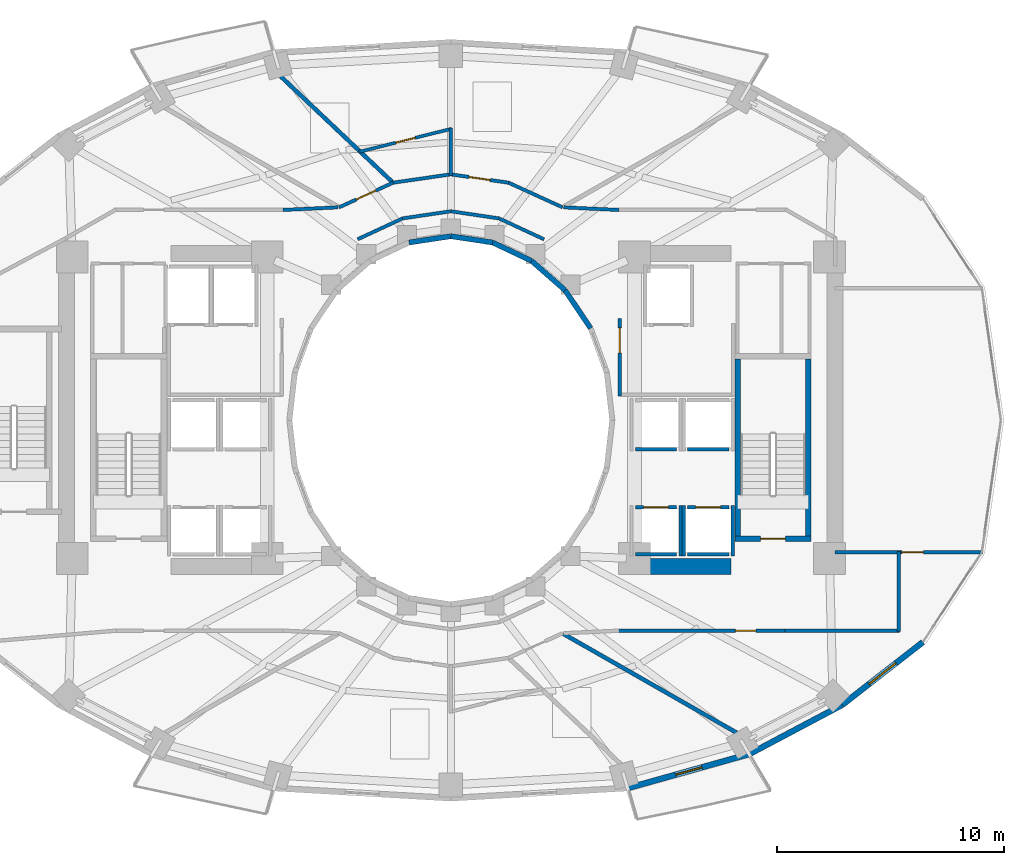
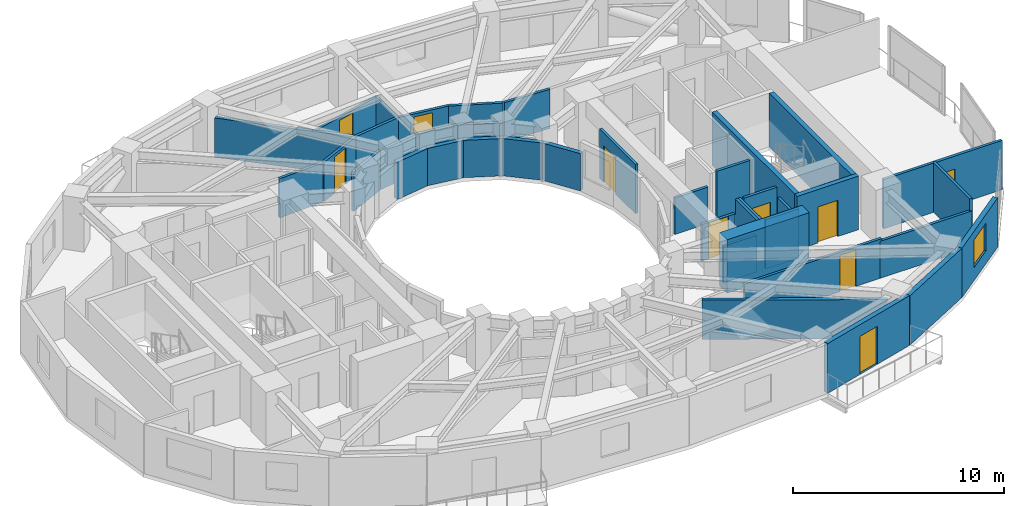
# One storey, part 9 of 14: 40 walls, 10 doors, 1 window, 11 openings.
"""IFC4 building model written with IfcOpenShell, lengths in metres."""

from ifc_helpers import new_model, si_unit, direction, frame, frame_2d, origin, place, context, subcontext, project, spatial, rectangle, extrude, material, layer, layer_set, type_object, element, fill, save


model = new_model("IFC4")

# Units and contexts
model_context = context("Model", 3, precision=1e-05, world=origin(), true_north=direction((0.0, 1.0)))
body_context = subcontext(model_context, "Body", "Model", "MODEL_VIEW")
ifc_project = project(units=[si_unit("LENGTHUNIT", "METRE"), si_unit("AREAUNIT", "SQUARE_METRE"), si_unit("VOLUMEUNIT", "CUBIC_METRE"), si_unit("PLANEANGLEUNIT", "RADIAN"), si_unit("MASSUNIT", "GRAM", prefix="KILO")], contexts=[model_context])

# Site, building, storey
site_placement = place(None, origin())
site = spatial("IfcSite", under=ifc_project, at=site_placement, CompositionType="ELEMENT")
building_placement = place(site_placement, origin())
building = spatial("IfcBuilding", under=site, at=building_placement, Name="Solvane Sanctuary Tower", CompositionType="ELEMENT")
storey_placement = place(building_placement, frame((0.0, 0.0, 88.699951171875)))
storey = spatial("IfcBuildingStorey", under=building, at=storey_placement, Name="L26", CompositionType="ELEMENT", Elevation=88.699951171875)

# Wall
ifc_material_1 = material(Name="Concrete C60/75", Category="concrete")
ifc_layer_1 = layer(ifc_material_1, 0.699951171875, Name="Concrete C60/75")
ifc_layer_set_1 = layer_set([ifc_layer_1], Name="Concrete C60/75")
wall_type_1 = type_object("IfcWallType", Name="Wall W-CORE-700", PredefinedType="SHEAR", material=ifc_layer_set_1)
wall_1_placement = place(storey_placement, frame((39.85009765625, 16.550048828125, 0.0), z_axis=(0.0, 0.0, 1.0), x_axis=(1.0, 0.0, 0.0)))
element("IfcWall", 1, at=wall_1_placement, inside=storey, type_object=wall_type_1, Name="L26 Core Shear Wall EC-S", PredefinedType="SHEAR", context=body_context, shape_type="SweptSolid", body=[
    extrude(rectangle(XDim=4.5, YDim=0.699951171875, at=frame_2d((2.25, 0.0))), origin(), (0.0, 0.0, 1.0), 3.10009765625),
])

# Wall, opening, door
ifc_material_2 = material(Name="Acoustic Gypsum Partition Board")
ifc_layer_2 = layer(ifc_material_2, 0.14990234375, Name="Acoustic Gypsum Partition Board")
ifc_layer_set_2 = layer_set([ifc_layer_2], Name="Acoustic Gypsum Partition Board")
wall_type_2 = type_object("IfcWallType", Name="Wall W-CORR-150", PredefinedType="PARTITIONING", material=ifc_layer_set_2)
wall_2_placement = place(storey_placement, frame((39.449951171875, 24.080078125, 0.0), z_axis=(0.0, 0.0, 1.0), x_axis=(0.0, 1.0, 0.0)))
wall_2 = element("IfcWall", 2, at=wall_2_placement, inside=storey, type_object=wall_type_2, Name="L26 East Firefighting Lobby West Wall", PredefinedType="PARTITIONING", context=body_context, shape_type="SweptSolid", body=[
    extrude(rectangle(XDim=3.39990234375, YDim=0.14990234375, at=frame_2d((1.699951171875, 0.0))), origin(), (0.0, 0.0, 1.0), 2.85498046875),
])
opening_1_placement = place(wall_2_placement, frame((1.893798828125, 0.0, 0.0)))
opening_1 = element("IfcOpeningElement", 3, at=opening_1_placement, cuts=wall_2, Name="Opening D-L26-09", PredefinedType="OPENING", context=body_context, shape_type="SweptSolid", body=[
    extrude(rectangle(XDim=1.10009765625, YDim=2.10009765625, at=frame_2d((0.550048828125, 1.050048828125))), frame((0.0, 0.0849609375, 0.0), z_axis=(0.0, -1.0, 0.0), x_axis=(1.0, 0.0, 0.0)), (0.0, 0.0, 1.0), 0.169921875),
])
ifc_material_3 = material(Name="Architectural Stainless Steel 316", Category="steel")
door_type_1 = type_object("IfcDoorType", Name="Door D-FFL", OperationType="NOTDEFINED", PredefinedType="DOOR", material=ifc_material_3)
door_1_placement = place(opening_1_placement, origin())
door_1 = element("IfcDoor", 4, at=door_1_placement, inside=storey, type_object=door_type_1, Name="L26 East Firefighting Lobby Fire Door", OperationType="SINGLE_SWING_RIGHT", OverallHeight=2.10009765625, OverallWidth=1.10009765625, PredefinedType="DOOR", context=body_context, shape_type="SweptSolid", body=[
    extrude(rectangle(XDim=1.10009765625, YDim=2.10009765625, at=frame_2d((0.550048828125, 1.050048828125))), frame((0.0, 0.02490234375, 0.0), z_axis=(0.0, -1.0, 0.0), x_axis=(1.0, 0.0, 0.0)), (0.0, 0.0, 1.0), 0.050048828125),
])
fill(opening_1, door_1)

# Walls
wall_3_placement = place(storey_placement, frame((36.110107421875, 30.98486328125, 0.0), z_axis=(0.0, 0.0, 1.0), x_axis=(-0.906943449489, 0.421252393975, 0.0)))
element("IfcWall", 5, at=wall_3_placement, inside=storey, type_object=wall_type_2, Name="L26 Light-Well Corridor Rim Wall N1", PredefinedType="PARTITIONING", context=body_context, shape_type="SweptSolid", body=[
    extrude(rectangle(XDim=2.18603515625, YDim=0.14990234375, at=frame_2d((1.093017578125, 0.0))), origin(), (0.0, 0.0, 1.0), 2.27197265625),
])
for number, where, z_axis, x_axis, name in (
    (6, (34.12744140625, 31.90576171875, 0.0), (0.0, 0.0, 1.0), (-0.989268584896, 0.146108408166, 0.0), "L26 Light-Well Corridor Rim Wall N2"),
    (7, (32.0, 32.219970703125, 0.0), (0.0, 0.0, 1.0), (-0.989268584896, -0.146108408166, 0.0), "L26 Light-Well Corridor Rim Wall N3"),
):
    element("IfcWall", number, at=place(storey_placement, frame(where, z_axis=z_axis, x_axis=x_axis)), inside=storey, type_object=wall_type_2, Name=name, PredefinedType="PARTITIONING", context=body_context, shape_type="SweptSolid", body=[
        extrude(rectangle(XDim=2.150634765625, YDim=0.14990234375, at=frame_2d((1.0751953125, 0.0))), origin(), (0.0, 0.0, 1.0), 2.27197265625),
    ])
wall_4_placement = place(storey_placement, frame((29.87255859375, 31.90576171875, 0.0), z_axis=(0.0, 0.0, 1.0), x_axis=(-0.906943449489, -0.421252393975, 0.0)))
element("IfcWall", 8, at=wall_4_placement, inside=storey, type_object=wall_type_2, Name="L26 Light-Well Corridor Rim Wall N4", PredefinedType="PARTITIONING", context=body_context, shape_type="SweptSolid", body=[
    extrude(rectangle(XDim=2.18603515625, YDim=0.14990234375, at=frame_2d((1.093017578125, 0.0))), origin(), (0.0, 0.0, 1.0), 2.27197265625),
])

# Wall, opening, door
wall_5_placement = place(storey_placement, frame((48.949951171875, 17.1748046875, 0.0), z_axis=(0.0, 0.0, 1.0), x_axis=(1.0, 0.0, 0.0)))
wall_5 = element("IfcWall", 9, at=wall_5_placement, inside=storey, type_object=wall_type_2, Name="L26 East Shoulder South Wall", PredefinedType="PARTITIONING", context=body_context, shape_type="SweptSolid", body=[
    extrude(rectangle(XDim=6.49169921875, YDim=0.14990234375, at=frame_2d((3.245849609375, 0.0))), origin(), (0.0, 0.0, 1.0), 2.85498046875),
])
opening_2_placement = place(wall_5_placement, frame((2.947509765625, 0.0, 0.0)))
opening_2 = element("IfcOpeningElement", 10, at=opening_2_placement, cuts=wall_5, Name="Opening D-L26-14", PredefinedType="OPENING", context=body_context, shape_type="SweptSolid", body=[
    extrude(rectangle(XDim=0.949951171875, YDim=2.10009765625, at=frame_2d((0.47509765625, 1.050048828125))), frame((0.0, 0.0849609375, 0.0), z_axis=(0.0, -1.0, 0.0), x_axis=(1.0, 0.0, 0.0)), (0.0, 0.0, 1.0), 0.169921875),
])
ifc_material_4 = material(Name="Engineered Tropical Hardwood", Category="wood")
door_type_2 = type_object("IfcDoorType", Name="Door D-ROOM-950", OperationType="NOTDEFINED", PredefinedType="DOOR", material=ifc_material_4)
door_2_placement = place(opening_2_placement, origin())
door_2 = element("IfcDoor", 11, at=door_2_placement, inside=storey, type_object=door_type_2, Name="L26 East Shoulder South Door", OperationType="SINGLE_SWING_LEFT", OverallHeight=2.10009765625, OverallWidth=0.949951171875, PredefinedType="DOOR", context=body_context, shape_type="SweptSolid", body=[
    extrude(rectangle(XDim=0.949951171875, YDim=2.10009765625, at=frame_2d((0.47509765625, 1.050048828125))), frame((0.0, 0.02490234375, 0.0), z_axis=(0.0, -1.0, 0.0), x_axis=(1.0, 0.0, 0.0)), (0.0, 0.0, 1.0), 0.050048828125),
])
fill(opening_2, door_2)

# Walls
for number, where, z_axis, x_axis, name in (
    (12, (36.97998046875, 32.393798828125, 0.0), (0.0, 0.0, 1.0), (0.998877427952, -0.047369651964, 0.0), "L26 NE Corner Throat Wall"),
    (13, (27.02001953125, 32.393798828125, 0.0), (0.0, 0.0, 1.0), (-0.998877427952, -0.047369651964, 0.0), "L26 NW Corner Throat Wall"),
):
    element("IfcWall", number, at=place(storey_placement, frame(where, z_axis=z_axis, x_axis=x_axis)), inside=storey, type_object=wall_type_2, Name=name, PredefinedType="PARTITIONING", context=body_context, shape_type="SweptSolid", body=[
        extrude(rectangle(XDim=2.4326171875, YDim=0.14990234375, at=frame_2d((1.21630859375, 0.0))), origin(), (0.0, 0.0, 1.0), 2.27197265625),
    ])
wall_6_placement = place(storey_placement, frame((51.760009765625, 13.679931640625, 0.0), z_axis=(0.0, 0.0, 1.0), x_axis=(0.0, 1.0, 0.0)))
element("IfcWall", 14, at=wall_6_placement, inside=storey, type_object=wall_type_2, Name="L26 SE Corner Closer 1", PredefinedType="PARTITIONING", context=body_context, shape_type="SweptSolid", body=[
    extrude(rectangle(XDim=3.534912109375, YDim=0.14990234375, at=frame_2d((1.767578125, 0.0))), origin(), (0.0, 0.0, 1.0), 2.85498046875),
])

# Wall, opening, door
wall_7_placement = place(storey_placement, frame((39.330078125, 13.719970703125, 0.0), z_axis=(0.0, 0.0, 1.0), x_axis=(1.0, 0.0, 0.0)))
wall_7 = element("IfcWall", 15, at=wall_7_placement, inside=storey, type_object=wall_type_2, Name="L26 SE Corner Corridor Wall", PredefinedType="PARTITIONING", context=body_context, shape_type="SweptSolid", body=[
    extrude(rectangle(XDim=7.52001953125, YDim=0.14990234375, at=frame_2d((3.760009765625, 0.0))), origin(), (0.0, 0.0, 1.0), 2.27197265625),
])
opening_3_placement = place(wall_7_placement, frame((5.219970703125, 0.0, 0.0)))
opening_3 = element("IfcOpeningElement", 16, at=opening_3_placement, cuts=wall_7, Name="Opening D-L26-19", PredefinedType="OPENING", context=body_context, shape_type="SweptSolid", body=[
    extrude(rectangle(XDim=0.89990234375, YDim=2.10009765625, at=frame_2d((0.449951171875, 1.050048828125))), frame((0.0, 0.0849609375, 0.0), z_axis=(0.0, -1.0, 0.0), x_axis=(1.0, 0.0, 0.0)), (0.0, 0.0, 1.0), 0.169921875),
])
door_type_3 = type_object("IfcDoorType", Name="Door D-WET-900", OperationType="NOTDEFINED", PredefinedType="DOOR", material=ifc_material_4)
door_3_placement = place(opening_3_placement, origin())
door_3 = element("IfcDoor", 17, at=door_3_placement, inside=storey, type_object=door_type_3, Name="L26 SE Corner Salon Door", OperationType="SINGLE_SWING_RIGHT", OverallHeight=2.10009765625, OverallWidth=0.89990234375, PredefinedType="DOOR", context=body_context, shape_type="SweptSolid", body=[
    extrude(rectangle(XDim=0.89990234375, YDim=2.10009765625, at=frame_2d((0.449951171875, 1.050048828125))), frame((0.0, 0.02490234375, 0.0), z_axis=(0.0, -1.0, 0.0), x_axis=(1.0, 0.0, 0.0)), (0.0, 0.0, 1.0), 0.050048828125),
])
fill(opening_3, door_3)

# Walls
wall_8_placement = place(storey_placement, frame((46.75, 13.719970703125, 0.0), z_axis=(0.0, 0.0, 1.0), x_axis=(1.0, 0.0, 0.0)))
element("IfcWall", 18, at=wall_8_placement, inside=storey, type_object=wall_type_2, Name="L26 SE Corner Wing Wall", PredefinedType="PARTITIONING", context=body_context, shape_type="SweptSolid", body=[
    extrude(rectangle(XDim=5.050048828125, YDim=0.14990234375, at=frame_2d((2.52490234375, 0.0))), origin(), (0.0, 0.0, 1.0), 2.14208984375),
])
wall_9_placement = place(storey_placement, frame((32.049560546875, 33.857177734375, 0.0), z_axis=(0.0, 0.0, 1.0), x_axis=(-0.989649898776, -0.143502884474, 0.0)))
element("IfcWall", 19, at=wall_9_placement, inside=storey, type_object=wall_type_2, Name="L26 En-suite Inner Wall N1", PredefinedType="PARTITIONING", context=body_context, shape_type="SweptSolid", body=[
    extrude(rectangle(XDim=2.676025390625, YDim=0.14990234375, at=frame_2d((1.337890625, 0.0))), origin(), (0.0, 0.0, 1.0), 2.27197265625),
])
wall_10_placement = place(storey_placement, frame((36.930908203125, 32.392578125, 0.0), z_axis=(0.0, 0.0, 1.0), x_axis=(-0.909747571199, 0.415161843982, 0.0)))
element("IfcWall", 20, at=wall_10_placement, inside=storey, type_object=wall_type_2, Name="L26 Unit Corridor Wall N1", PredefinedType="PARTITIONING", context=body_context, shape_type="SweptSolid", body=[
    extrude(rectangle(XDim=2.625, YDim=0.14990234375, at=frame_2d((1.3125, 0.0))), origin(), (0.0, 0.0, 1.0), 2.27197265625),
])

# Wall, opening, door
wall_11_placement = place(storey_placement, frame((34.555908203125, 33.478271484375, 0.0), z_axis=(0.0, 0.0, 1.0), x_axis=(-0.989637894688, 0.143585644814, 0.0)))
wall_11 = element("IfcWall", 21, at=wall_11_placement, inside=storey, type_object=wall_type_2, Name="L26 Unit Corridor Wall N1", PredefinedType="PARTITIONING", context=body_context, shape_type="SweptSolid", body=[
    extrude(rectangle(XDim=2.589599609375, YDim=0.14990234375, at=frame_2d((1.294921875, 0.0))), origin(), (0.0, 0.0, 1.0), 2.27197265625),
])
opening_4_placement = place(wall_11_placement, frame((0.81982421875, 0.0, 0.0)))
opening_4 = element("IfcOpeningElement", 22, at=opening_4_placement, cuts=wall_11, Name="Opening D-L26-21", PredefinedType="OPENING", context=body_context, shape_type="SweptSolid", body=[
    extrude(rectangle(XDim=0.949951171875, YDim=2.10009765625, at=frame_2d((0.47509765625, 1.050048828125))), frame((0.0, 0.0849609375, 0.0), z_axis=(0.0, -1.0, 0.0), x_axis=(1.0, 0.0, 0.0)), (0.0, 0.0, 1.0), 0.169921875),
])
door_4_placement = place(opening_4_placement, origin())
door_4 = element("IfcDoor", 23, at=door_4_placement, inside=storey, type_object=door_type_2, Name="L26 Unit Entrance Door N1", OperationType="SINGLE_SWING_RIGHT", OverallHeight=2.10009765625, OverallWidth=0.949951171875, PredefinedType="DOOR", context=body_context, shape_type="SweptSolid", body=[
    extrude(rectangle(XDim=0.949951171875, YDim=2.10009765625, at=frame_2d((0.47509765625, 1.050048828125))), frame((0.0, 0.02490234375, 0.0), z_axis=(0.0, -1.0, 0.0), x_axis=(1.0, 0.0, 0.0)), (0.0, 0.0, 1.0), 0.050048828125),
])
fill(opening_4, door_4)

wall_12_placement = place(storey_placement, frame((29.457275390625, 33.482421875, 0.0), z_axis=(0.0, 0.0, 1.0), x_axis=(-0.909747571199, -0.415161843982, 0.0)))
wall_12 = element("IfcWall", 24, at=wall_12_placement, inside=storey, type_object=wall_type_2, Name="L26 Unit Corridor Wall N2", PredefinedType="PARTITIONING", context=body_context, shape_type="SweptSolid", body=[
    extrude(rectangle(XDim=2.625, YDim=0.14990234375, at=frame_2d((1.3125, 0.0))), origin(), (0.0, 0.0, 1.0), 2.27197265625),
])
opening_5_placement = place(wall_12_placement, frame((0.837646484375, 0.0, 0.0)))
opening_5 = element("IfcOpeningElement", 25, at=opening_5_placement, cuts=wall_12, Name="Opening D-L26-22", PredefinedType="OPENING", context=body_context, shape_type="SweptSolid", body=[
    extrude(rectangle(XDim=0.949951171875, YDim=2.10009765625, at=frame_2d((0.47509765625, 1.050048828125))), frame((0.0, 0.0849609375, 0.0), z_axis=(0.0, -1.0, 0.0), x_axis=(1.0, 0.0, 0.0)), (0.0, 0.0, 1.0), 0.169921875),
])
door_5_placement = place(opening_5_placement, origin())
door_5 = element("IfcDoor", 26, at=door_5_placement, inside=storey, type_object=door_type_2, Name="L26 Unit Entrance Door N2", OperationType="SINGLE_SWING_LEFT", OverallHeight=2.10009765625, OverallWidth=0.949951171875, PredefinedType="DOOR", context=body_context, shape_type="SweptSolid", body=[
    extrude(rectangle(XDim=0.949951171875, YDim=2.10009765625, at=frame_2d((0.47509765625, 1.050048828125))), frame((0.0, 0.02490234375, 0.0), z_axis=(0.0, -1.0, 0.0), x_axis=(1.0, 0.0, 0.0)), (0.0, 0.0, 1.0), 0.050048828125),
])
fill(opening_5, door_5)

ifc_material_5 = material(Name="Precast concrete C40/50", Category="concrete")
ifc_layer_3 = layer(ifc_material_5, 0.260009765625, Name="Precast concrete C40/50")
ifc_layer_set_3 = layer_set([ifc_layer_3], Name="Precast concrete C40/50")
wall_type_3 = type_object("IfcWallType", Name="Wall W-EXT-250", PredefinedType="STANDARD", material=ifc_layer_set_3)
wall_13_placement = place(storey_placement, frame((39.81640625, 6.7783203125, 0.0), z_axis=(0.0, 0.0, 1.0), x_axis=(0.962938491413, 0.269721081407, 0.0)))
wall_13 = element("IfcWall", 27, at=wall_13_placement, inside=storey, type_object=wall_type_3, Name="L26 Balcony Facade Wall S2", PredefinedType="STANDARD", context=body_context, shape_type="SweptSolid", body=[
    extrude(rectangle(XDim=5.563232421875, YDim=0.260009765625, at=frame_2d((2.78173828125, 0.0))), origin(), (0.0, 0.0, 1.0), 2.880126953125),
])
opening_6_placement = place(wall_13_placement, frame((2.181640625, 0.0, 0.0)))
opening_6 = element("IfcOpeningElement", 28, at=opening_6_placement, cuts=wall_13, Name="Opening D-L26-04", PredefinedType="OPENING", context=body_context, shape_type="SweptSolid", body=[
    extrude(rectangle(XDim=1.199951171875, YDim=2.199951171875, at=frame_2d((0.60009765625, 1.10009765625))), frame((0.0, 0.139892578125, 0.0), z_axis=(0.0, -1.0, 0.0), x_axis=(1.0, 0.0, 0.0)), (0.0, 0.0, 1.0), 0.280029296875),
])
ifc_material_6 = material(Name="Anodised Aluminium 6063-T6", Category="aluminium")
door_type_4 = type_object("IfcDoorType", Name="Door D-BALC-1200", OperationType="NOTDEFINED", PredefinedType="DOOR", material=ifc_material_6)
door_6_placement = place(opening_6_placement, origin())
door_6 = element("IfcDoor", 29, at=door_6_placement, inside=storey, type_object=door_type_4, Name="L26 Glazed Balcony Door S2", OperationType="SINGLE_SWING_LEFT", OverallHeight=2.199951171875, OverallWidth=1.199951171875, PredefinedType="DOOR", context=body_context, shape_type="SweptSolid", body=[
    extrude(rectangle(XDim=1.199951171875, YDim=2.199951171875, at=frame_2d((0.60009765625, 1.10009765625))), frame((0.0, 0.02490234375, 0.0), z_axis=(0.0, -1.0, 0.0), x_axis=(1.0, 0.0, 0.0)), (0.0, 0.0, 1.0), 0.050048828125),
])
fill(opening_6, door_6)

# Wall
wall_14_placement = place(storey_placement, frame((45.17333984375, 8.27880859375, 0.0), z_axis=(0.0, 0.0, 1.0), x_axis=(0.883668636807, 0.4681129568, 0.0)))
element("IfcWall", 30, at=wall_14_placement, inside=storey, type_object=wall_type_3, Name="L26 Ceramic-Printed Facade Wall 20", PredefinedType="STANDARD", context=body_context, shape_type="SweptSolid", body=[
    extrude(rectangle(XDim=4.63134765625, YDim=0.260009765625, at=frame_2d((2.315673828125, 0.0))), origin(), (0.0, 0.0, 1.0), 2.85009765625),
])

# Wall, opening, window
wall_15_placement = place(storey_placement, frame((49.265869140625, 10.44677734375, 0.0), z_axis=(0.0, 0.0, 1.0), x_axis=(0.789127449954, 0.614229491094, 0.0)))
wall_15 = element("IfcWall", 31, at=wall_15_placement, inside=storey, type_object=wall_type_3, Name="L26 Ceramic-Printed Facade Wall 21", PredefinedType="STANDARD", context=body_context, shape_type="SweptSolid", body=[
    extrude(rectangle(XDim=4.504638671875, YDim=0.260009765625, at=frame_2d((2.25244140625, 0.0))), origin(), (0.0, 0.0, 1.0), 2.85009765625),
])
opening_7_placement = place(wall_15_placement, frame((1.502197265625, 0.0, 0.75)))
opening_7 = element("IfcOpeningElement", 32, at=opening_7_placement, cuts=wall_15, Name="Opening WN-OPER-1500", PredefinedType="OPENING", context=body_context, shape_type="SweptSolid", body=[
    extrude(rectangle(XDim=1.5, YDim=1.60009765625, at=frame_2d((0.75, 0.800048828125))), frame((0.0, 0.139892578125, 0.0), z_axis=(0.0, -1.0, 0.0), x_axis=(1.0, 0.0, 0.0)), (0.0, 0.0, 1.0), 0.280029296875),
])
ifc_material_7 = material(Name="Dark Ceramic-Fritted Low-E Glass", Category="glass")
window_type = type_object("IfcWindowType", Name="Window WN-OPER-1500", PartitioningType="SINGLE_PANEL", PredefinedType="WINDOW", material=ifc_material_7)
window_placement = place(opening_7_placement, origin())
window = element("IfcWindow", 33, at=window_placement, inside=storey, type_object=window_type, Name="L26 Operable Facade Window 21", OverallHeight=1.60009765625, OverallWidth=1.5, PartitioningType="SINGLE_PANEL", PredefinedType="WINDOW", context=body_context, shape_type="SweptSolid", body=[
    extrude(rectangle(XDim=1.5, YDim=1.60009765625, at=frame_2d((0.75, 0.800048828125))), frame((0.0, 0.030029296875, 0.0), z_axis=(0.0, -1.0, 0.0), x_axis=(1.0, 0.0, 0.0)), (0.0, 0.0, 1.0), 0.06005859375),
])
fill(opening_7, window)

# Walls
ifc_layer_4 = layer(ifc_material_5, 0.22998046875, Name="Precast concrete C40/50")
ifc_layer_set_4 = layer_set([ifc_layer_4], Name="Precast concrete C40/50")
wall_type_4 = type_object("IfcWallType", Name="Wall W-EXT-SP220", PredefinedType="STANDARD", material=ifc_layer_set_4)
wall_16_placement = place(storey_placement, frame((38.166015625, 27.06005859375, 0.0), z_axis=(0.0, 0.0, 1.0), x_axis=(-0.558197800898, 0.829707909492, 0.0)))
element("IfcWall", 34, at=wall_16_placement, inside=storey, type_object=wall_type_4, Name="L26 Central Light-Well Wall 02", PredefinedType="STANDARD", context=body_context, shape_type="SweptSolid", body=[
    extrude(rectangle(XDim=2.02685546875, YDim=0.22998046875, at=frame_2d((1.013427734375, 0.0))), origin(), (0.0, 0.0, 1.0), 2.16015625),
])
wall_17_placement = place(storey_placement, frame((37.03466796875, 28.74169921875, 0.0), z_axis=(0.0, 0.0, 1.0), x_axis=(-0.752576694707, 0.658504607869, 0.0)))
element("IfcWall", 35, at=wall_17_placement, inside=storey, type_object=wall_type_4, Name="L26 Central Light-Well Wall 03", PredefinedType="STANDARD", context=body_context, shape_type="SweptSolid", body=[
    extrude(rectangle(XDim=1.95947265625, YDim=0.22998046875, at=frame_2d((0.979736328125, 0.0))), origin(), (0.0, 0.0, 1.0), 2.16015625),
])
wall_18_placement = place(storey_placement, frame((35.56005859375, 30.031982421875, 0.0), z_axis=(0.0, 0.0, 1.0), x_axis=(-0.904179699603, 0.427152280606, 0.0)))
element("IfcWall", 36, at=wall_18_placement, inside=storey, type_object=wall_type_4, Name="L26 Central Light-Well Wall 04", PredefinedType="STANDARD", context=body_context, shape_type="SweptSolid", body=[
    extrude(rectangle(XDim=1.899169921875, YDim=0.22998046875, at=frame_2d((0.94970703125, 0.0))), origin(), (0.0, 0.0, 1.0), 2.16015625),
])
for number, where, z_axis, x_axis, name in (
    (37, (33.8427734375, 30.84326171875, 0.0), (0.0, 0.0, 1.0), (-0.988901730308, 0.148571086668, 0.0), "L26 Central Light-Well Wall 05"),
    (38, (32.0, 31.1201171875, 0.0), (0.0, 0.0, 1.0), (-0.988901730308, -0.148571086668, 0.0), "L26 Central Light-Well Wall 06"),
):
    element("IfcWall", number, at=place(storey_placement, frame(where, z_axis=z_axis, x_axis=x_axis)), inside=storey, type_object=wall_type_4, Name=name, PredefinedType="STANDARD", context=body_context, shape_type="SweptSolid", body=[
        extrude(rectangle(XDim=1.863525390625, YDim=0.22998046875, at=frame_2d((0.931640625, 0.0))), origin(), (0.0, 0.0, 1.0), 2.16015625),
    ])

# Wall, opening, door
ifc_material_8 = material(Name="Concrete C50/60", Category="concrete")
ifc_layer_5 = layer(ifc_material_8, 0.14990234375, Name="Concrete C50/60")
ifc_layer_set_5 = layer_set([ifc_layer_5], Name="Concrete C50/60")
wall_type_5 = type_object("IfcWallType", Name="Wall W-SHAFT-150", PredefinedType="SOLIDWALL", material=ifc_layer_set_5)
wall_19_placement = place(storey_placement, frame((40.139892578125, 19.159912109375, 0.0), z_axis=(0.0, 0.0, 1.0), x_axis=(1.0, 0.0, 0.0)))
wall_19 = element("IfcWall", 39, at=wall_19_placement, inside=storey, type_object=wall_type_5, Name="L26 PL-3 Lift Shaft Wall F", PredefinedType="SOLIDWALL", context=body_context, shape_type="SweptSolid", body=[
    extrude(rectangle(XDim=1.820068359375, YDim=0.14990234375, at=frame_2d((0.91015625, 0.0))), origin(), (0.0, 0.0, 1.0), 2.1201171875),
])
opening_8_placement = place(wall_19_placement, frame((0.360107421875, 0.0, 0.0)))
opening_8 = element("IfcOpeningElement", 40, at=opening_8_placement, cuts=wall_19, Name="Opening LD-L26-03", PredefinedType="OPENING", context=body_context, shape_type="SweptSolid", body=[
    extrude(rectangle(XDim=1.10009765625, YDim=2.10009765625, at=frame_2d((0.550048828125, 1.050048828125))), frame((0.0, 0.0849609375, 0.0), z_axis=(0.0, -1.0, 0.0), x_axis=(1.0, 0.0, 0.0)), (0.0, 0.0, 1.0), 0.169921875),
])
door_type_5 = type_object("IfcDoorType", Name="Door LD-PASS-1100", OperationType="NOTDEFINED", PredefinedType="DOOR", material=ifc_material_3)
door_7_placement = place(opening_8_placement, origin())
door_7 = element("IfcDoor", 41, at=door_7_placement, inside=storey, type_object=door_type_5, Name="L26 PL-3 Lift Landing Door", OperationType="DOUBLE_DOOR_SLIDING", OverallHeight=2.10009765625, OverallWidth=1.10009765625, PredefinedType="DOOR", context=body_context, shape_type="SweptSolid", body=[
    extrude(rectangle(XDim=1.10009765625, YDim=2.10009765625, at=frame_2d((0.550048828125, 1.050048828125))), frame((0.0, 0.02490234375, 0.0), z_axis=(0.0, -1.0, 0.0), x_axis=(1.0, 0.0, 0.0)), (0.0, 0.0, 1.0), 0.050048828125),
])
fill(opening_8, door_7)

# Walls
wall_20_placement = place(storey_placement, frame((40.139892578125, 17.10009765625, 0.0), z_axis=(0.0, 0.0, 1.0), x_axis=(1.0, 0.0, 0.0)))
element("IfcWall", 42, at=wall_20_placement, inside=storey, type_object=wall_type_5, Name="L26 PL-3 Lift Shaft Wall B", PredefinedType="SOLIDWALL", context=body_context, shape_type="SweptSolid", body=[
    extrude(rectangle(XDim=1.820068359375, YDim=0.14990234375, at=frame_2d((0.91015625, 0.0))), origin(), (0.0, 0.0, 1.0), 2.1201171875),
])
wall_21_placement = place(storey_placement, frame((42.1298828125, 17.02001953125, 0.0), z_axis=(0.0, 0.0, 1.0), x_axis=(0.0, 1.0, 0.0)))
element("IfcWall", 43, at=wall_21_placement, inside=storey, type_object=wall_type_5, Name="L26 PL-3 Lift Shaft Wall S2", PredefinedType="SOLIDWALL", context=body_context, shape_type="SweptSolid", body=[
    extrude(rectangle(XDim=2.219970703125, YDim=0.14990234375, at=frame_2d((1.10986328125, 0.0))), origin(), (0.0, 0.0, 1.0), 2.85498046875),
])

# Wall, opening, door
wall_22_placement = place(storey_placement, frame((42.43994140625, 19.159912109375, 0.0), z_axis=(0.0, 0.0, 1.0), x_axis=(1.0, 0.0, 0.0)))
wall_22 = element("IfcWall", 44, at=wall_22_placement, inside=storey, type_object=wall_type_5, Name="L26 PL-4 Lift Shaft Wall F", PredefinedType="SOLIDWALL", context=body_context, shape_type="SweptSolid", body=[
    extrude(rectangle(XDim=1.820068359375, YDim=0.14990234375, at=frame_2d((0.91015625, 0.0))), origin(), (0.0, 0.0, 1.0), 2.85498046875),
])
opening_9_placement = place(wall_22_placement, frame((0.360107421875, 0.0, 0.0)))
opening_9 = element("IfcOpeningElement", 45, at=opening_9_placement, cuts=wall_22, Name="Opening LD-L26-04", PredefinedType="OPENING", context=body_context, shape_type="SweptSolid", body=[
    extrude(rectangle(XDim=1.10009765625, YDim=2.10009765625, at=frame_2d((0.550048828125, 1.050048828125))), frame((0.0, 0.0849609375, 0.0), z_axis=(0.0, -1.0, 0.0), x_axis=(1.0, 0.0, 0.0)), (0.0, 0.0, 1.0), 0.169921875),
])
door_8_placement = place(opening_9_placement, origin())
door_8 = element("IfcDoor", 46, at=door_8_placement, inside=storey, type_object=door_type_5, Name="L26 PL-4 Lift Landing Door", OperationType="DOUBLE_DOOR_SLIDING", OverallHeight=2.10009765625, OverallWidth=1.10009765625, PredefinedType="DOOR", context=body_context, shape_type="SweptSolid", body=[
    extrude(rectangle(XDim=1.10009765625, YDim=2.10009765625, at=frame_2d((0.550048828125, 1.050048828125))), frame((0.0, 0.02490234375, 0.0), z_axis=(0.0, -1.0, 0.0), x_axis=(1.0, 0.0, 0.0)), (0.0, 0.0, 1.0), 0.050048828125),
])
fill(opening_9, door_8)

# Walls
wall_23_placement = place(storey_placement, frame((42.43994140625, 17.10009765625, 0.0), z_axis=(0.0, 0.0, 1.0), x_axis=(1.0, 0.0, 0.0)))
element("IfcWall", 47, at=wall_23_placement, inside=storey, type_object=wall_type_5, Name="L26 PL-4 Lift Shaft Wall B", PredefinedType="SOLIDWALL", context=body_context, shape_type="SweptSolid", body=[
    extrude(rectangle(XDim=1.820068359375, YDim=0.14990234375, at=frame_2d((0.91015625, 0.0))), origin(), (0.0, 0.0, 1.0), 2.85498046875),
])
wall_24_placement = place(storey_placement, frame((42.27001953125, 17.02001953125, 0.0), z_axis=(0.0, 0.0, 1.0), x_axis=(0.0, 1.0, 0.0)))
element("IfcWall", 48, at=wall_24_placement, inside=storey, type_object=wall_type_5, Name="L26 PL-4 Lift Shaft Wall S1", PredefinedType="SOLIDWALL", context=body_context, shape_type="SweptSolid", body=[
    extrude(rectangle(XDim=2.219970703125, YDim=0.14990234375, at=frame_2d((1.10986328125, 0.0))), origin(), (0.0, 0.0, 1.0), 2.85498046875),
])
wall_25_placement = place(storey_placement, frame((44.429931640625, 17.02001953125, 0.0), z_axis=(0.0, 0.0, 1.0), x_axis=(0.0, 1.0, 0.0)))
element("IfcWall", 49, at=wall_25_placement, inside=storey, type_object=wall_type_5, Name="L26 PL-4 Lift Shaft Wall S2", PredefinedType="SOLIDWALL", context=body_context, shape_type="SweptSolid", body=[
    extrude(rectangle(XDim=2.219970703125, YDim=0.14990234375, at=frame_2d((1.10986328125, 0.0))), origin(), (0.0, 0.0, 1.0), 2.1201171875),
])
wall_26_placement = place(storey_placement, frame((42.43994140625, 21.719970703125, 0.0), z_axis=(0.0, 0.0, 1.0), x_axis=(1.0, 0.0, 0.0)))
element("IfcWall", 50, at=wall_26_placement, inside=storey, type_object=wall_type_5, Name="L26 PM-2 Lift Shaft Wall F", PredefinedType="SOLIDWALL", context=body_context, shape_type="SweptSolid", body=[
    extrude(rectangle(XDim=1.820068359375, YDim=0.14990234375, at=frame_2d((0.91015625, 0.0))), origin(), (0.0, 0.0, 1.0), 2.85498046875),
])
wall_27_placement = place(storey_placement, frame((40.139892578125, 21.719970703125, 0.0), z_axis=(0.0, 0.0, 1.0), x_axis=(1.0, 0.0, 0.0)))
element("IfcWall", 51, at=wall_27_placement, inside=storey, type_object=wall_type_5, Name="L26 PH-2 Lift Shaft Wall F", PredefinedType="SOLIDWALL", context=body_context, shape_type="SweptSolid", body=[
    extrude(rectangle(XDim=1.820068359375, YDim=0.14990234375, at=frame_2d((0.91015625, 0.0))), origin(), (0.0, 0.0, 1.0), 2.1201171875),
])

# Wall, opening, door
ifc_layer_6 = layer(ifc_material_8, 0.25, Name="Concrete C50/60")
ifc_layer_set_6 = layer_set([ifc_layer_6], Name="Concrete C50/60")
wall_type_6 = type_object("IfcWallType", Name="Wall W-SHAFT-250", PredefinedType="SOLIDWALL", material=ifc_layer_set_6)
wall_28_placement = place(storey_placement, frame((44.52490234375, 17.77001953125, 0.0), z_axis=(0.0, 0.0, 1.0), x_axis=(1.0, 0.0, 0.0)))
wall_28 = element("IfcWall", 52, at=wall_28_placement, inside=storey, type_object=wall_type_6, Name="L26 ST-2 Load-Bearing Shaft Wall S", PredefinedType="SOLIDWALL", context=body_context, shape_type="SweptSolid", body=[
    extrude(rectangle(XDim=3.3701171875, YDim=0.25, at=frame_2d((1.68505859375, 0.0))), origin(), (0.0, 0.0, 1.0), 3.10009765625),
])
opening_10_placement = place(wall_28_placement, frame((1.135009765625, 0.0, 0.0)))
opening_10 = element("IfcOpeningElement", 53, at=opening_10_placement, cuts=wall_28, Name="Opening D-L26-06", PredefinedType="OPENING", context=body_context, shape_type="SweptSolid", body=[
    extrude(rectangle(XDim=1.10009765625, YDim=2.10009765625, at=frame_2d((0.550048828125, 1.050048828125))), frame((0.0, 0.135009765625, 0.0), z_axis=(0.0, -1.0, 0.0), x_axis=(1.0, 0.0, 0.0)), (0.0, 0.0, 1.0), 0.27001953125),
])
door_type_6 = type_object("IfcDoorType", Name="Door D-STAIR", OperationType="NOTDEFINED", PredefinedType="DOOR", material=ifc_material_3)
door_9_placement = place(opening_10_placement, origin())
door_9 = element("IfcDoor", 54, at=door_9_placement, inside=storey, type_object=door_type_6, Name="L26 ST-2 Exit Stair Fire Door", OperationType="SINGLE_SWING_LEFT", OverallHeight=2.10009765625, OverallWidth=1.10009765625, PredefinedType="DOOR", context=body_context, shape_type="SweptSolid", body=[
    extrude(rectangle(XDim=1.10009765625, YDim=2.10009765625, at=frame_2d((0.550048828125, 1.050048828125))), frame((0.0, 0.02490234375, 0.0), z_axis=(0.0, -1.0, 0.0), x_axis=(1.0, 0.0, 0.0)), (0.0, 0.0, 1.0), 0.050048828125),
])
fill(opening_10, door_9)

# Walls
for number, where, z_axis, x_axis, name in (
    (55, (44.64990234375, 17.89501953125, 0.0), (0.0, 0.0, 1.0), (0.0, 1.0, 0.0), "L26 ST-2 Load-Bearing Shaft Wall W"),
    (56, (47.77001953125, 17.89501953125, 0.0), (0.0, 0.0, 1.0), (0.0, 1.0, 0.0), "L26 ST-2 Load-Bearing Shaft Wall E"),
):
    element("IfcWall", number, at=place(storey_placement, frame(where, z_axis=z_axis, x_axis=x_axis)), inside=storey, type_object=wall_type_6, Name=name, PredefinedType="SOLIDWALL", context=body_context, shape_type="SweptSolid", body=[
        extrude(rectangle(XDim=7.81005859375, YDim=0.25, at=frame_2d((3.905029296875, 0.0))), origin(), (0.0, 0.0, 1.0), 3.10009765625),
    ])
ifc_layer_7 = layer(ifc_material_2, 0.179931640625, Name="Acoustic Gypsum Partition Board")
ifc_layer_set_7 = layer_set([ifc_layer_7], Name="Acoustic Gypsum Partition Board")
wall_type_7 = type_object("IfcWallType", Name="Wall W-UNIT-180", PredefinedType="PARTITIONING", material=ifc_layer_set_7)
wall_29_placement = place(storey_placement, frame((29.41064453125, 33.51806640625, 0.0), z_axis=(0.0, 0.0, 1.0), x_axis=(-0.726306601605, 0.687370875485, 0.0)))
element("IfcWall", 57, at=wall_29_placement, inside=storey, type_object=wall_type_7, Name="L26 Radial Compartment Wall 105", PredefinedType="PARTITIONING", context=body_context, shape_type="SweptSolid", body=[
    extrude(rectangle(XDim=6.759521484375, YDim=0.179931640625, at=frame_2d((3.3798828125, 0.0))), origin(), (0.0, 0.0, 1.0), 2.27197265625),
])
wall_30_placement = place(storey_placement, frame((36.972900390625, 13.576416015625, 0.0), z_axis=(0.0, 0.0, 1.0), x_axis=(0.868484076301, -0.495717065685, 0.0)))
element("IfcWall", 58, at=wall_30_placement, inside=storey, type_object=wall_type_7, Name="L26 Radial Compartment Wall 300", PredefinedType="PARTITIONING", context=body_context, shape_type="SweptSolid", body=[
    extrude(rectangle(XDim=8.78857421875, YDim=0.179931640625, at=frame_2d((4.394287109375, 0.0))), origin(), (0.0, 0.0, 1.0), 2.27197265625),
])
ifc_layer_8 = layer(ifc_material_2, 0.139892578125, Name="Acoustic Gypsum Partition Board")
ifc_layer_set_8 = layer_set([ifc_layer_8], Name="Acoustic Gypsum Partition Board")
wall_type_8 = type_object("IfcWallType", Name="Wall W-WET-140", PredefinedType="PLUMBINGWALL", material=ifc_layer_set_8)
wall_31_placement = place(storey_placement, frame((32.0, 33.800048828125, 0.0), z_axis=(0.0, 0.0, 1.0), x_axis=(0.0, 1.0, 0.0)))
element("IfcWall", 59, at=wall_31_placement, inside=storey, type_object=wall_type_8, Name="L26 En-suite Side Partition N1", PredefinedType="PLUMBINGWALL", context=body_context, shape_type="SweptSolid", body=[
    extrude(rectangle(XDim=2.099853515625, YDim=0.139892578125, at=frame_2d((1.0498046875, 0.0))), origin(), (0.0, 0.0, 1.0), 2.27197265625),
])

# Wall, opening, door
wall_32_placement = place(storey_placement, frame((32.048583984375, 35.862060546875, 0.0), z_axis=(0.0, 0.0, 1.0), x_axis=(-0.970461257599, -0.241257015439, 0.0)))
wall_32 = element("IfcWall", 60, at=wall_32_placement, inside=storey, type_object=wall_type_8, Name="L26 En-suite Bedroom Wall N1", PredefinedType="PLUMBINGWALL", context=body_context, shape_type="SweptSolid", body=[
    extrude(rectangle(XDim=4.223876953125, YDim=0.139892578125, at=frame_2d((2.11181640625, 0.0))), origin(), (0.0, 0.0, 1.0), 2.27197265625),
])
opening_11_placement = place(wall_32_placement, frame((1.661865234375, 0.0, 0.0)))
opening_11 = element("IfcOpeningElement", 61, at=opening_11_placement, cuts=wall_32, Name="Opening D-L26-20", PredefinedType="OPENING", context=body_context, shape_type="SweptSolid", body=[
    extrude(rectangle(XDim=0.89990234375, YDim=2.10009765625, at=frame_2d((0.449951171875, 1.050048828125))), frame((0.0, 0.079833984375, 0.0), z_axis=(0.0, -1.0, 0.0), x_axis=(1.0, 0.0, 0.0)), (0.0, 0.0, 1.0), 0.159912109375),
])
door_10_placement = place(opening_11_placement, origin())
door_10 = element("IfcDoor", 62, at=door_10_placement, inside=storey, type_object=door_type_3, Name="L26 En-suite Bathroom Door N1", OperationType="SINGLE_SWING_LEFT", OverallHeight=2.10009765625, OverallWidth=0.89990234375, PredefinedType="DOOR", context=body_context, shape_type="SweptSolid", body=[
    extrude(rectangle(XDim=0.89990234375, YDim=2.10009765625, at=frame_2d((0.449951171875, 1.050048828125))), frame((0.0, 0.02490234375, 0.0), z_axis=(0.0, -1.0, 0.0), x_axis=(1.0, 0.0, 0.0)), (0.0, 0.0, 1.0), 0.050048828125),
])
fill(opening_11, door_10)

save(model, "model.ifc")
